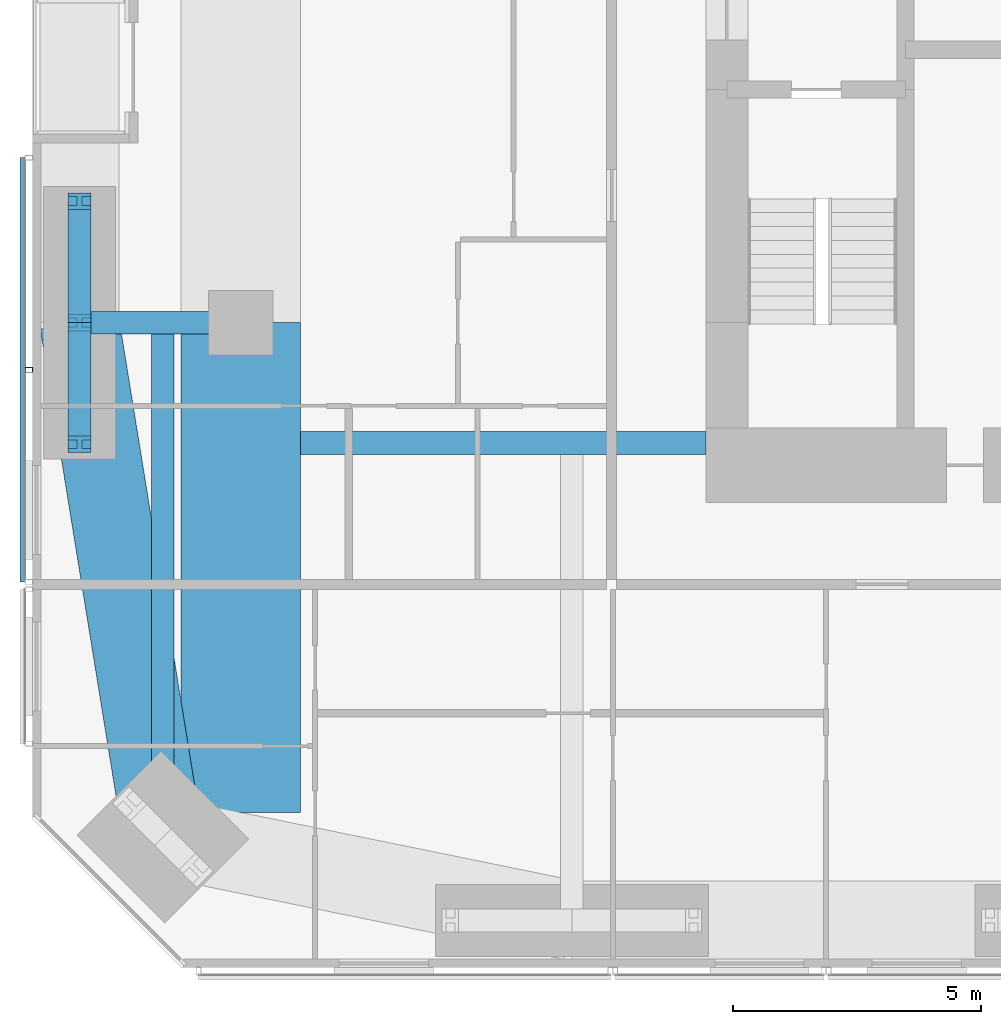
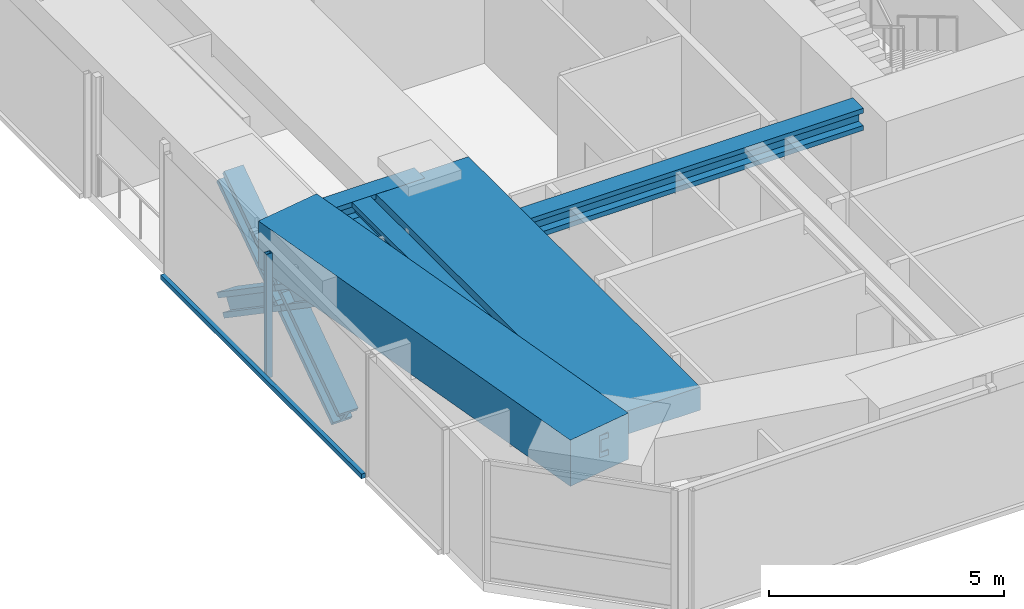
# One storey, part 3 of 24: 6 members, 5 beams, 1 element without a shape of its own.
"""IFC4 building model written with IfcOpenShell, lengths in metres."""

import ifcopenshell
import ifcopenshell.guid

model = None  # the IFC model being written
_history = None  # IfcOwnerHistory: only IFC2X3 demands one
_inside = {}  # id of a spatial element -> (the spatial element, [elements in it])
_under = {}  # id of a project, library or spatial element -> (it, [spatial elements below it])
_declared = {}  # id of a project -> (the project, [libraries it declares])
_typed = {}  # id of a type object -> (the type object, [elements of that type])
_made_of = {}  # id of a material, layer set ... -> (it, [elements and type objects made of it])


def new_model(schema):
    """Start an empty IFC model of exactly this schema.

    Asked for "IFC4X3", IfcOpenShell would pick the latest addendum, in which some entities
    have other attributes; the version numbers below select the first issue.
    IFC2X3 requires an IfcOwnerHistory on every rooted entity: one is made here for all.
    """
    global model, _history
    if schema == "IFC4X3":
        model = ifcopenshell.file(schema_version=(4, 3, 0, 0))
    else:
        model = ifcopenshell.file(schema=schema)
    _inside.clear()
    _under.clear()
    _declared.clear()
    _typed.clear()
    _made_of.clear()
    _history = None
    if model.schema == "IFC2X3":
        org = make("IfcOrganization", Name="unknown")
        user = make(
            "IfcPersonAndOrganization",
            ThePerson=make("IfcPerson", FamilyName="unknown"),
            TheOrganization=org,
        )
        app = make(
            "IfcApplication",
            ApplicationDeveloper=org,
            Version="unknown",
            ApplicationFullName="unknown",
            ApplicationIdentifier="unknown",
        )
        _history = make(
            "IfcOwnerHistory",
            OwningUser=user,
            OwningApplication=app,
            ChangeAction="ADDED",
            CreationDate=0,
        )
    return model


def make(cls, **values):
    """One entity of the class cls with the attributes given. An attribute that is None is left unset."""
    return model.create_entity(
        cls, **{name: value for name, value in values.items() if value is not None}
    )


def rooted(cls, **values):
    """An entity with a GlobalId (a new one), such as an element, a storey or a relation."""
    return make(cls, GlobalId=ifcopenshell.guid.new(), OwnerHistory=_history, **values)


def si_unit(unit_type, name, prefix=None):
    """IfcSIUnit, for example si_unit("LENGTHUNIT", "METRE", prefix="MILLI")."""
    return make("IfcSIUnit", UnitType=unit_type, Prefix=prefix, Name=name)


def assignment(units):
    """IfcUnitAssignment: the units of a project."""
    return None if units is None else make("IfcUnitAssignment", Units=units)


def point(xyz):
    """IfcCartesianPoint."""
    return None if xyz is None else make("IfcCartesianPoint", Coordinates=xyz)


def direction(xyz):
    """IfcDirection."""
    return None if xyz is None else make("IfcDirection", DirectionRatios=xyz)


def frame(location, z_axis=None, x_axis=None):
    """IfcAxis2Placement3D, a coordinate frame: its origin and axes. An axis left out is left unset."""
    return make(
        "IfcAxis2Placement3D",
        Location=point(location),
        Axis=direction(z_axis),
        RefDirection=direction(x_axis),
    )


def frame_2d(location, x_axis=None):
    """IfcAxis2Placement2D, a coordinate frame in the plane: its origin and x axis."""
    return make(
        "IfcAxis2Placement2D", Location=point(location), RefDirection=direction(x_axis)
    )


def origin():
    """The frame at (0, 0, 0) with its axes left unset."""
    return frame((0.0, 0.0, 0.0))


def origin_2d():
    """The frame at (0, 0) in the plane with its x axis left unset."""
    return frame_2d((0.0, 0.0))


def place(relative_to, where):
    """IfcLocalPlacement: puts the frame where relative to a parent placement (None: the world)."""
    return make(
        "IfcLocalPlacement", PlacementRelTo=relative_to, RelativePlacement=where
    )


def context(
    kind, dimensions, precision=None, world=None, true_north=None, identifier=None
):
    """IfcGeometricRepresentationContext, for example the 3D "Model" context."""
    return make(
        "IfcGeometricRepresentationContext",
        ContextIdentifier=identifier,
        ContextType=kind,
        CoordinateSpaceDimension=dimensions,
        Precision=precision,
        WorldCoordinateSystem=world,
        TrueNorth=true_north,
    )


def subcontext(parent, identifier, kind, view, scale=None):
    """IfcGeometricRepresentationSubContext, for example "Body" below "Model"."""
    return make(
        "IfcGeometricRepresentationSubContext",
        ContextIdentifier=identifier,
        ContextType=kind,
        ParentContext=parent,
        TargetScale=scale,
        TargetView=view,
    )


def project(units=None, contexts=None):
    """IfcProject with its units and contexts."""
    return rooted(
        "IfcProject",
        Name="project",
        RepresentationContexts=contexts,
        UnitsInContext=assignment(units),
    )


def spatial(cls, under=None, at=None, **own):
    """A site, building, storey or space (cls), placed at a placement, below another one or the project."""
    s = rooted(cls, ObjectPlacement=at, **own)
    if under is not None:
        _under.setdefault(under.id(), (under, []))[1].append(s)
    return s


def profile(cls, at=None, kind="AREA", **sizes):
    """A parametric profile (cls). Its sizes go by their IFC names, for example OverallWidth=200.0."""
    return make(cls, ProfileType=kind, Position=at, **sizes)


def rectangle(**sizes):
    """IfcRectangleProfileDef."""
    return profile("IfcRectangleProfileDef", **sizes)


def hollow_rectangle(**sizes):
    """IfcRectangleHollowProfileDef."""
    return profile("IfcRectangleHollowProfileDef", **sizes)


def i_section(**sizes):
    """IfcIShapeProfileDef."""
    return profile("IfcIShapeProfileDef", **sizes)


def extrude(swept, where, along, depth):
    """IfcExtrudedAreaSolid: the profile swept, set in the frame where, extruded along a direction by depth."""
    return make(
        "IfcExtrudedAreaSolid",
        SweptArea=swept,
        Position=where,
        ExtrudedDirection=direction(along),
        Depth=depth,
    )


def shape(context_of_items, identifier, shape_type, items):
    """IfcShapeRepresentation: the items that make up one representation, for example the "Body"."""
    return make(
        "IfcShapeRepresentation",
        ContextOfItems=context_of_items,
        RepresentationIdentifier=identifier,
        RepresentationType=shape_type,
        Items=items,
    )


def material(Name=None, Category=None):
    """IfcMaterial."""
    return make("IfcMaterial", Name=Name, Category=Category)


def material_profile(
    of_material, cross_section, Name=None, Category=None, Priority=None
):
    """IfcMaterialProfile: a cross section and its material."""
    return make(
        "IfcMaterialProfile",
        Name=Name,
        Material=of_material,
        Profile=cross_section,
        Priority=Priority,
        Category=Category,
    )


def profile_set(profiles, Name=None, composite=None):
    """IfcMaterialProfileSet."""
    return make(
        "IfcMaterialProfileSet",
        Name=Name,
        MaterialProfiles=profiles,
        CompositeProfile=composite,
    )


def made_of(thing, what):
    """Note that an element or type object is made of a material, layer set ...; save() writes the relation."""
    if what is not None:
        _made_of.setdefault(what.id(), (what, []))[1].append(thing)
    return thing


def type_object(cls, material=None, **own):
    """A type object (cls), such as IfcWallType, which elements share."""
    return made_of(rooted(cls, **own), material)


def element(
    cls,
    number,
    at=None,
    inside=None,
    cuts=None,
    type_object=None,
    material=None,
    context=None,
    identifier="Body",
    shape_type=None,
    held_by="IfcProductDefinitionShape",
    body=None,
    shapes=None,
    **own,
):
    """One element of the class cls, such as IfcWall. Its Tag is "e" and its number.

    at: its placement. inside: the storey or other place that contains it. cuts: it is an
    opening in that element (IfcRelVoidsElement). A single representation is given by context,
    identifier, shape_type and body (its items); several are given by shapes. held_by: the class
    of the entity that holds the representations. save() writes the other relations.
    """
    e = rooted(cls, Tag="e%d" % number, ObjectPlacement=at, **own)
    if body is not None:
        shapes = [shape(context, identifier, shape_type, body)]
    if shapes is not None:
        e.Representation = make(held_by, Representations=shapes)
    if inside is not None:
        _inside.setdefault(inside.id(), (inside, []))[1].append(e)
    if cuts is not None:
        rooted(
            "IfcRelVoidsElement", RelatingBuildingElement=cuts, RelatedOpeningElement=e
        )
    if type_object is not None:
        _typed.setdefault(type_object.id(), (type_object, []))[1].append(e)
    return made_of(e, material)


def aggregate(whole, parts):
    """IfcRelAggregates: a whole, such as a stair, and the parts it consists of."""
    return rooted("IfcRelAggregates", RelatingObject=whole, RelatedObjects=parts)


def save(model, path):
    """Write the relations noted so far, then the file.

    IfcRelAggregates (storeys below a building ...), IfcRelContainedInSpatialStructure (elements
    in a storey), IfcRelDefinesByType, IfcRelAssociatesMaterial and IfcRelDeclares: one each for
    every whole, place, type object, material and project.
    """
    for whole, parts in _under.values():
        aggregate(whole, parts)
    for where, things in _inside.values():
        rooted(
            "IfcRelContainedInSpatialStructure",
            RelatedElements=things,
            RelatingStructure=where,
        )
    for kind, things in _typed.values():
        rooted("IfcRelDefinesByType", RelatedObjects=things, RelatingType=kind)
    for what, things in _made_of.values():
        rooted("IfcRelAssociatesMaterial", RelatedObjects=things, RelatingMaterial=what)
    for by, libraries in _declared.values():
        rooted("IfcRelDeclares", RelatingContext=by, RelatedDefinitions=libraries)
    model.write(path)


model = new_model("IFC4")

# Units and contexts
model_context = context("Model", 3, precision=1e-05, world=origin(), true_north=direction((0.0, 1.0)))
body_context = subcontext(model_context, "Body", "Model", "MODEL_VIEW")
ifc_project = project(units=[si_unit("LENGTHUNIT", "METRE"), si_unit("AREAUNIT", "SQUARE_METRE"), si_unit("VOLUMEUNIT", "CUBIC_METRE"), si_unit("PLANEANGLEUNIT", "RADIAN"), si_unit("MASSUNIT", "GRAM", prefix="KILO")], contexts=[model_context])

# Site, building, storey
site_placement = place(None, origin())
site = spatial("IfcSite", under=ifc_project, at=site_placement, CompositionType="ELEMENT")
building_placement = place(site_placement, origin())
building = spatial("IfcBuilding", under=site, at=building_placement, Name="Jalousie Tower", CompositionType="ELEMENT")
storey_placement = place(building_placement, frame((0.0, 0.0, 131.64990234375)))
storey = spatial("IfcBuildingStorey", under=building, at=storey_placement, Name="L36", CompositionType="ELEMENT", Elevation=131.64990234375)

# Beams
ifc_material_1 = material(Name="Steel ASTM A992 Grade 50", Category="steel")
ifc_material_profile_1 = material_profile(ifc_material_1, i_section(OverallWidth=0.45458984375, OverallDepth=0.569091796875, WebThickness=0.077880859375, FlangeThickness=0.124755859375, at=origin_2d()), Name="W14X730")
ifc_profile_set_1 = profile_set([ifc_material_profile_1], Name="Steel ASTM A992 Grade 50")
beam_type_1 = type_object("IfcBeamType", Name="LEAN COLLECTOR W14X730", PredefinedType="BEAM", material=ifc_profile_set_1)
beam_1_placement = place(storey_placement, frame((6.949951171875, 13.0, 2.82568359375), z_axis=(1.0, 0.0, 0.0), x_axis=(0.0, 1.0, 0.0)))
element("IfcBeam", 1, at=beam_1_placement, inside=storey, type_object=beam_type_1, Name="Lean collector under L37", PredefinedType="BEAM", context=body_context, shape_type="SweptSolid", body=[
    extrude(i_section(OverallWidth=0.45458984375, OverallDepth=0.569091796875, WebThickness=0.077880859375, FlangeThickness=0.124755859375, at=origin_2d()), origin(), (0.0, 0.0, 1.0), 3.25),
])
beam_2_placement = place(storey_placement, frame((11.39990234375, 10.574951171875, 2.82568359375), z_axis=(1.0, 0.0, 0.0), x_axis=(0.0, 1.0, 0.0)))
element("IfcBeam", 2, at=beam_2_placement, inside=storey, type_object=beam_type_1, Name="Lean collector under L37", PredefinedType="BEAM", context=body_context, shape_type="SweptSolid", body=[
    extrude(i_section(OverallWidth=0.45458984375, OverallDepth=0.569091796875, WebThickness=0.077880859375, FlangeThickness=0.124755859375, at=origin_2d()), origin(), (0.0, 0.0, 1.0), 8.175048828125),
])
beam_3_placement = place(storey_placement, frame((8.63134765625, 2.63134765625, 2.82568359375), z_axis=(0.0, 1.0, 0.0), x_axis=(-1.0, 0.0, 0.0)))
element("IfcBeam", 3, at=beam_3_placement, inside=storey, type_object=beam_type_1, Name="Lean collector under L37", PredefinedType="BEAM", context=body_context, shape_type="SweptSolid", body=[
    extrude(i_section(OverallWidth=0.45458984375, OverallDepth=0.569091796875, WebThickness=0.077880859375, FlangeThickness=0.124755859375, at=origin_2d()), origin(), (0.0, 0.0, 1.0), 10.36865234375),
])

# Members
ifc_material_2 = material(Name="Steel ASTM A992 Grade 50", Category="steel")
ifc_material_profile_2 = material_profile(ifc_material_2, i_section(OverallWidth=0.472412109375, OverallDepth=0.5791015625, WebThickness=0.094970703125, FlangeThickness=0.1298828125, at=origin_2d()), Name="W14X808")
ifc_profile_set_2 = profile_set([ifc_material_profile_2], Name="Steel ASTM A992 Grade 50")
member_type_1 = type_object("IfcMemberType", Name="PERIMETER BRACE W14X808", PredefinedType="BRACE", material=ifc_profile_set_2)
for number, where, z_axis, x_axis, name in (
    (4, (6.949951171875, 10.550048828125, -0.599853515625), (0.0, 0.825500916831, 0.564400776321), (-1.0, 0.0, 0.0), "Perimeter brace 14 L36 part 1"),
    (5, (6.949951171875, 13.0, 1.0751953125), (0.0, 0.825539243753, 0.564344714713), (-1.0, 0.0, 0.0), "Perimeter brace 14 L36 part 2"),
    (6, (6.949951171875, 15.449951171875, -0.599853515625), (0.0, -0.825500916831, 0.564400776321), (1.0, 0.0, 0.0), "Perimeter brace 14 L36 part 3"),
    (7, (6.949951171875, 13.0, 1.0751953125), (0.0, -0.825539243753, 0.564344714713), (1.0, 0.0, 0.0), "Perimeter brace 14 L36 part 4"),
):
    element("IfcMember", number, at=place(storey_placement, frame(where, z_axis=z_axis, x_axis=x_axis)), inside=storey, type_object=member_type_1, Name=name, PredefinedType="BRACE", context=body_context, shape_type="SweptSolid", body=[
        extrude(i_section(OverallWidth=0.472412109375, OverallDepth=0.5791015625, WebThickness=0.094970703125, FlangeThickness=0.1298828125, at=origin_2d()), origin(), (0.0, 0.0, 1.0), 2.9677734375),
    ])

# Beams
ifc_material_3 = material(Name="Concrete f'c 40 MPa", Category="concrete")
ifc_material_profile_3 = material_profile(ifc_material_3, rectangle(XDim=1.60009765625, YDim=1.199951171875, at=origin_2d()), Name="RC 1600x1200")
ifc_profile_set_3 = profile_set([ifc_material_profile_3], Name="Concrete f'c 40 MPa")
beam_type_2 = type_object("IfcBeamType", Name="RC BEAM 1600x1200", PredefinedType="BEAM", material=ifc_profile_set_3)
beam_4_placement = place(storey_placement, frame((6.949951171875, 13.0, 2.75), z_axis=(0.160070546476, -0.987105577003, 0.0), x_axis=(0.987105577003, 0.160070546476, 0.0)))
element("IfcBeam", 8, at=beam_4_placement, inside=storey, type_object=beam_type_2, Name="Edge band beam 14-01 under L37", PredefinedType="BEAM", context=body_context, shape_type="SweptSolid", body=[
    extrude(rectangle(XDim=1.60009765625, YDim=1.199951171875, at=origin_2d()), origin(), (0.0, 0.0, 1.0), 10.504150390625),
])
ifc_material_4 = material(Name="Concrete f'c 40 MPa", Category="concrete")
ifc_material_profile_4 = material_profile(ifc_material_4, rectangle(XDim=2.39990234375, YDim=0.60009765625, at=origin_2d()), Name="RC 2400x600")
ifc_profile_set_4 = profile_set([ifc_material_profile_4], Name="Concrete f'c 40 MPa")
beam_type_3 = type_object("IfcBeamType", Name="RC BEAM 2400x600", PredefinedType="BEAM", material=ifc_profile_set_4)
beam_5_placement = place(storey_placement, frame((10.199951171875, 13.0, 2.81005859375), z_axis=(0.0, -1.0, 0.0), x_axis=(1.0, 0.0, 0.0)))
element("IfcBeam", 9, at=beam_5_placement, inside=storey, type_object=beam_type_3, Name="Floor band beam under L37", PredefinedType="BEAM", context=body_context, shape_type="SweptSolid", body=[
    extrude(rectangle(XDim=2.39990234375, YDim=0.60009765625, at=origin_2d()), origin(), (0.0, 0.0, 1.0), 9.8720703125),
])

# Curtain wall, members
ifc_material_5 = material(Name="Perforated aluminium sheet", Category="aluminium")
curtain_wall_type = type_object("IfcCurtainWallType", Name="SOLAR SCREEN SS-1", PredefinedType="USERDEFINED", material=ifc_material_5)
curtain_wall_placement = place(storey_placement, origin())
curtain_wall = element("IfcCurtainWall", 10, at=curtain_wall_placement, inside=storey, type_object=curtain_wall_type, Name="Solar screen L36", ObjectType="SOLAR SCREEN SS-1", PredefinedType="USERDEFINED")
ifc_material_6 = material(Name="Steel ASTM A500 Grade C", Category="steel")
ifc_material_profile_5 = material_profile(ifc_material_6, hollow_rectangle(XDim=0.1015625, YDim=0.15234375, WallThickness=0.00634765625, at=origin_2d()), Name="HSS6X4X1/4")
ifc_profile_set_5 = profile_set([ifc_material_profile_5], Name="Steel ASTM A500 Grade C")
member_type_2 = type_object("IfcMemberType", Name="SOLAR SCREEN SS-1 MULLION", PredefinedType="MULLION", material=ifc_profile_set_5)
member_1_placement = place(storey_placement, frame((5.9287109375, 12.050048828125, -0.119873046875), z_axis=(0.0, 0.0, 1.0), x_axis=(0.0, -1.0, 0.0)))
member_1 = element("IfcMember", 11, at=member_1_placement, type_object=member_type_2, Name="SS1 post 2", PredefinedType="MULLION", context=body_context, shape_type="SweptSolid", body=[
    extrude(hollow_rectangle(XDim=0.1015625, YDim=0.15234375, WallThickness=0.00634765625, at=origin_2d()), origin(), (0.0, 0.0, 1.0), 3.22998046875),
])
ifc_material_7 = material(Name="Extruded aluminium screen rail", Category="aluminium")
ifc_material_profile_6 = material_profile(ifc_material_7, rectangle(XDim=0.1015625, YDim=0.1201171875, at=origin_2d()), Name="RAIL 102x120")
ifc_profile_set_6 = profile_set([ifc_material_profile_6], Name="Extruded aluminium screen rail")
member_type_3 = type_object("IfcMemberType", Name="SOLAR SCREEN SS-1 TRANSOM", PredefinedType="USERDEFINED", material=ifc_profile_set_6)
member_2_placement = place(storey_placement, frame((5.8017578125, 16.324951171875, -0.059814453125), z_axis=(0.0, -1.0, 0.0), x_axis=(1.0, 0.0, 0.0)))
member_2 = element("IfcMember", 12, at=member_2_placement, type_object=member_type_3, Name="SS1 rail", ObjectType="TRANSOM", PredefinedType="USERDEFINED", context=body_context, shape_type="SweptSolid", body=[
    extrude(rectangle(XDim=0.1015625, YDim=0.1201171875, at=origin_2d()), origin(), (0.0, 0.0, 1.0), 8.550048828125),
])
aggregate(curtain_wall, [member_1, member_2])

save(model, "model.ifc")
